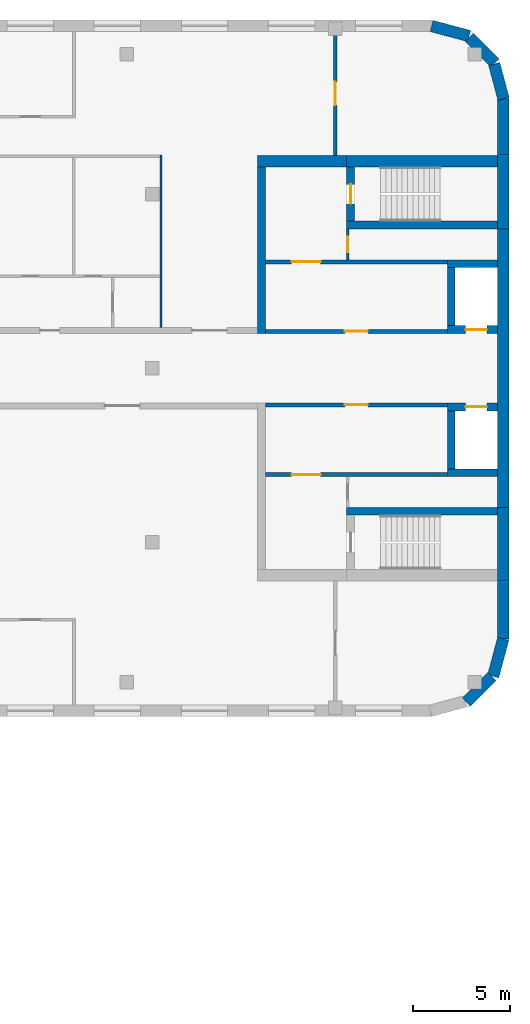
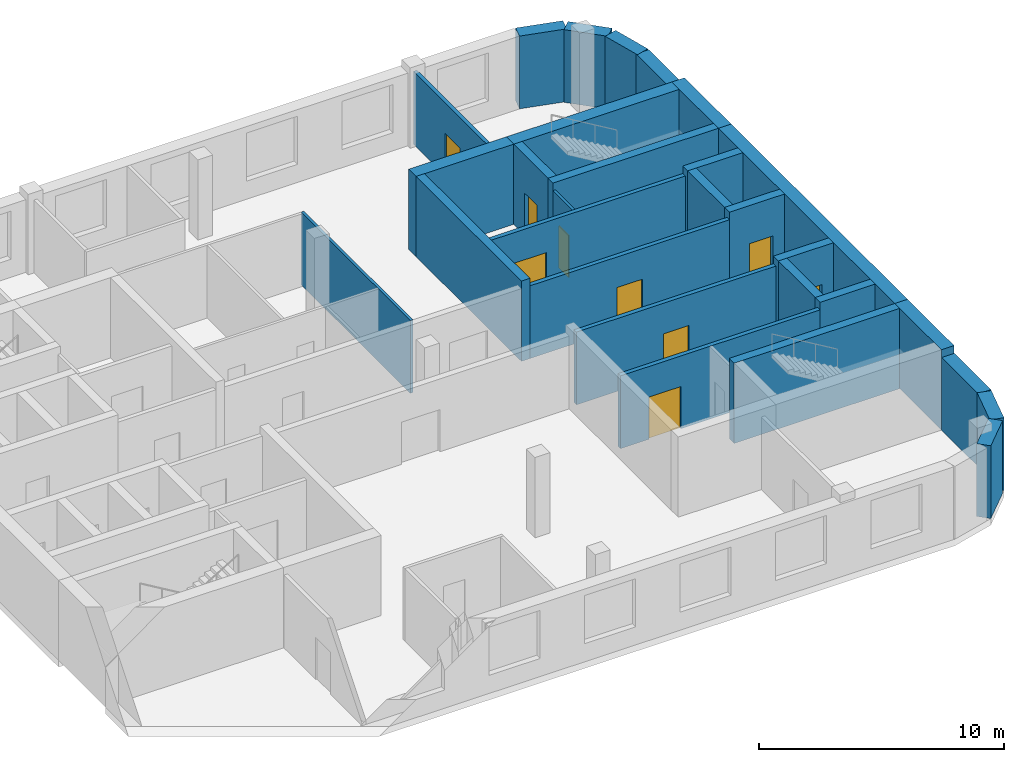
# One storey, part 9 of 12: 29 walls, 9 doors, 9 openings.
"""IFC4 building model written with IfcOpenShell, lengths in metres."""

from ifc_helpers import new_model, si_unit, direction, frame, frame_2d, origin, place, context, subcontext, project, spatial, rectangle, extrude, material, layer, layer_set, type_object, element, fill, save


model = new_model("IFC4")

# Units and contexts
model_context = context("Model", 3, precision=1e-05, world=origin(), true_north=direction((0.0, 1.0)))
body_context = subcontext(model_context, "Body", "Model", "MODEL_VIEW")
ifc_project = project(units=[si_unit("LENGTHUNIT", "METRE"), si_unit("AREAUNIT", "SQUARE_METRE"), si_unit("VOLUMEUNIT", "CUBIC_METRE"), si_unit("PLANEANGLEUNIT", "RADIAN"), si_unit("MASSUNIT", "GRAM", prefix="KILO")], contexts=[model_context])

# Site, building, storey
site_placement = place(None, origin())
site = spatial("IfcSite", under=ifc_project, at=site_placement, CompositionType="ELEMENT")
building_placement = place(site_placement, origin())
building = spatial("IfcBuilding", under=site, at=building_placement, Name="Skarvind Civic Tower", CompositionType="ELEMENT")
storey_placement = place(building_placement, frame((0.0, 0.0, 59.5)))
storey = spatial("IfcBuildingStorey", under=building, at=storey_placement, Name="L13", CompositionType="ELEMENT", Elevation=59.5)

# Wall, opening, door
ifc_material_1 = material(Name="Acoustic gypsum board on steel studs", Category="steel")
ifc_layer_1 = layer(ifc_material_1, 0.175048828125)
ifc_layer_set_1 = layer_set([ifc_layer_1], Name="ACOUSTIC MEETING-ROOM PARTITION 175")
wall_type_1 = type_object("IfcWallType", Name="ACOUSTIC MEETING-ROOM PARTITION 175", PredefinedType="PARTITIONING", material=ifc_layer_set_1)
wall_1_placement = place(storey_placement, frame((158.0, 139.0, 0.0), z_axis=(0.0, 0.0, 1.0), x_axis=(0.0, 1.0, 0.0)))
wall_1 = element("IfcWall", 1, at=wall_1_placement, inside=storey, type_object=wall_type_1, Name="Partition 13.017", PredefinedType="PARTITIONING", context=body_context, shape_type="SweptSolid", body=[
    extrude(rectangle(XDim=6.39990234375, YDim=0.175048828125, at=frame_2d((3.199951171875, 0.0))), origin(), (0.0, 0.0, 1.0), 3.625),
])
opening_1_placement = place(wall_1_placement, frame((2.60009765625, 0.0, 0.0)))
opening_1 = element("IfcOpeningElement", 2, at=opening_1_placement, cuts=wall_1, Name="Opening L13-D108", PredefinedType="OPENING", context=body_context, shape_type="SweptSolid", body=[
    extrude(rectangle(XDim=1.199951171875, YDim=2.10009765625, at=frame_2d((0.60009765625, 1.050048828125))), frame((0.0, 0.097412109375, 0.0), z_axis=(0.0, -1.0, 0.0), x_axis=(1.0, 0.0, 0.0)), (0.0, 0.0, 1.0), 0.195068359375),
])
ifc_material_2 = material(Name="Timber door leaf", Category="wood")
door_type_1 = type_object("IfcDoorType", Name="DOOR 1200X2100 DOUBLE TIMBER", OperationType="NOTDEFINED", PredefinedType="DOOR", material=ifc_material_2)
door_1_placement = place(opening_1_placement, origin())
door_1 = element("IfcDoor", 3, at=door_1_placement, inside=storey, type_object=door_type_1, Name="Door L13-D108", OperationType="DOUBLE_DOOR_SINGLE_SWING", OverallHeight=2.10009765625, OverallWidth=1.199951171875, PredefinedType="DOOR", context=body_context, shape_type="SweptSolid", body=[
    extrude(rectangle(XDim=1.199951171875, YDim=2.10009765625, at=frame_2d((0.60009765625, 1.050048828125))), frame((0.0, 0.02490234375, 0.0), z_axis=(0.0, -1.0, 0.0), x_axis=(1.0, 0.0, 0.0)), (0.0, 0.0, 1.0), 0.050048828125),
])
fill(opening_1, door_1)

ifc_material_3 = material(Name="Fire-rated masonry partition", Category="masonry")
ifc_layer_2 = layer(ifc_material_3, 0.199951171875)
ifc_layer_set_2 = layer_set([ifc_layer_2], Name="Core enclosure wall 200")
wall_type_2 = type_object("IfcWallType", Name="Core enclosure wall 200", PredefinedType="PARTITIONING", material=ifc_layer_set_2)
wall_2_placement = place(storey_placement, frame((163.800048828125, 126.10009765625, 0.0), z_axis=(0.0, 0.0, 1.0), x_axis=(-1.0, 0.0, 0.0)))
wall_2 = element("IfcWall", 4, at=wall_2_placement, inside=storey, type_object=wall_type_2, Name="Core wall CB", PredefinedType="PARTITIONING", context=body_context, shape_type="SweptSolid", body=[
    extrude(rectangle(XDim=9.400146484375, YDim=0.199951171875, at=frame_2d((4.7001953125, 0.0))), origin(), (0.0, 0.0, 1.0), 3.625),
])
opening_2_placement = place(wall_2_placement, frame((4.10009765625, 0.0, 0.0)))
opening_2 = element("IfcOpeningElement", 5, at=opening_2_placement, cuts=wall_2, Name="Opening D-L13-CB-03", PredefinedType="OPENING", context=body_context, shape_type="SweptSolid", body=[
    extrude(rectangle(XDim=1.199951171875, YDim=2.10009765625, at=frame_2d((0.60009765625, 1.050048828125))), frame((0.0, 0.10986328125, 0.0), z_axis=(0.0, -1.0, 0.0), x_axis=(1.0, 0.0, 0.0)), (0.0, 0.0, 1.0), 0.219970703125),
])
ifc_material_4 = material(Name="Fire-rated steel door", Category="steel")
door_type_2 = type_object("IfcDoorType", Name="Core lobby door 1200", OperationType="NOTDEFINED", PredefinedType="DOOR", material=ifc_material_4)
door_2_placement = place(opening_2_placement, origin())
door_2 = element("IfcDoor", 6, at=door_2_placement, inside=storey, type_object=door_type_2, Name="Fire door", OperationType="DOUBLE_DOOR_SINGLE_SWING", OverallHeight=2.10009765625, OverallWidth=1.199951171875, PredefinedType="DOOR", context=body_context, shape_type="SweptSolid", body=[
    extrude(rectangle(XDim=1.199951171875, YDim=2.10009765625, at=frame_2d((0.60009765625, 1.050048828125))), frame((0.0, 0.02490234375, 0.0), z_axis=(0.0, -1.0, 0.0), x_axis=(1.0, 0.0, 0.0)), (0.0, 0.0, 1.0), 0.050048828125),
])
fill(opening_2, door_2)

wall_3_placement = place(storey_placement, frame((163.800048828125, 122.5, 0.0), z_axis=(0.0, 0.0, 1.0), x_axis=(-1.0, 0.0, 0.0)))
wall_3 = element("IfcWall", 7, at=wall_3_placement, inside=storey, type_object=wall_type_2, Name="Core wall CB", PredefinedType="PARTITIONING", context=body_context, shape_type="SweptSolid", body=[
    extrude(rectangle(XDim=9.400146484375, YDim=0.199951171875, at=frame_2d((4.7001953125, 0.0))), origin(), (0.0, 0.0, 1.0), 3.625),
])
opening_3_placement = place(wall_3_placement, frame((6.550048828125, 0.0, 0.0)))
opening_3 = element("IfcOpeningElement", 8, at=opening_3_placement, cuts=wall_3, Name="Opening D-L13-CB-04", PredefinedType="OPENING", context=body_context, shape_type="SweptSolid", body=[
    extrude(rectangle(XDim=1.5, YDim=2.10009765625, at=frame_2d((0.75, 1.050048828125))), frame((0.0, 0.10986328125, 0.0), z_axis=(0.0, -1.0, 0.0), x_axis=(1.0, 0.0, 0.0)), (0.0, 0.0, 1.0), 0.219970703125),
])
door_type_3 = type_object("IfcDoorType", Name="Fire door 1500", OperationType="NOTDEFINED", PredefinedType="DOOR", material=ifc_material_4)
door_3_placement = place(opening_3_placement, origin())
door_3 = element("IfcDoor", 9, at=door_3_placement, inside=storey, type_object=door_type_3, Name="Fire door", OperationType="DOUBLE_DOOR_SINGLE_SWING", OverallHeight=2.10009765625, OverallWidth=1.5, PredefinedType="DOOR", context=body_context, shape_type="SweptSolid", body=[
    extrude(rectangle(XDim=1.5, YDim=2.10009765625, at=frame_2d((0.75, 1.050048828125))), frame((0.0, 0.02490234375, 0.0), z_axis=(0.0, -1.0, 0.0), x_axis=(1.0, 0.0, 0.0)), (0.0, 0.0, 1.0), 0.050048828125),
])
fill(opening_3, door_3)

wall_4_placement = place(storey_placement, frame((154.39990234375, 129.89990234375, 0.0), z_axis=(0.0, 0.0, 1.0), x_axis=(1.0, 0.0, 0.0)))
wall_4 = element("IfcWall", 10, at=wall_4_placement, inside=storey, type_object=wall_type_2, Name="Core wall CB", PredefinedType="PARTITIONING", context=body_context, shape_type="SweptSolid", body=[
    extrude(rectangle(XDim=9.400146484375, YDim=0.199951171875, at=frame_2d((4.7001953125, 0.0))), origin(), (0.0, 0.0, 1.0), 3.625),
])
opening_4_placement = place(wall_4_placement, frame((4.10009765625, 0.0, 0.0)))
opening_4 = element("IfcOpeningElement", 11, at=opening_4_placement, cuts=wall_4, Name="Opening D-L13-CB-07", PredefinedType="OPENING", context=body_context, shape_type="SweptSolid", body=[
    extrude(rectangle(XDim=1.199951171875, YDim=2.10009765625, at=frame_2d((0.60009765625, 1.050048828125))), frame((0.0, 0.10986328125, 0.0), z_axis=(0.0, -1.0, 0.0), x_axis=(1.0, 0.0, 0.0)), (0.0, 0.0, 1.0), 0.219970703125),
])
door_4_placement = place(opening_4_placement, origin())
door_4 = element("IfcDoor", 12, at=door_4_placement, inside=storey, type_object=door_type_2, Name="Fire door", OperationType="DOUBLE_DOOR_SINGLE_SWING", OverallHeight=2.10009765625, OverallWidth=1.199951171875, PredefinedType="DOOR", context=body_context, shape_type="SweptSolid", body=[
    extrude(rectangle(XDim=1.199951171875, YDim=2.10009765625, at=frame_2d((0.60009765625, 1.050048828125))), frame((0.0, 0.02490234375, 0.0), z_axis=(0.0, -1.0, 0.0), x_axis=(1.0, 0.0, 0.0)), (0.0, 0.0, 1.0), 0.050048828125),
])
fill(opening_4, door_4)

wall_5_placement = place(storey_placement, frame((154.39990234375, 133.5, 0.0), z_axis=(0.0, 0.0, 1.0), x_axis=(1.0, 0.0, 0.0)))
wall_5 = element("IfcWall", 13, at=wall_5_placement, inside=storey, type_object=wall_type_2, Name="Core wall CB", PredefinedType="PARTITIONING", context=body_context, shape_type="SweptSolid", body=[
    extrude(rectangle(XDim=9.400146484375, YDim=0.199951171875, at=frame_2d((4.7001953125, 0.0))), origin(), (0.0, 0.0, 1.0), 3.625),
])
opening_5_placement = place(wall_5_placement, frame((1.35009765625, 0.0, 0.0)))
opening_5 = element("IfcOpeningElement", 14, at=opening_5_placement, cuts=wall_5, Name="Opening D-L13-CB-08", PredefinedType="OPENING", context=body_context, shape_type="SweptSolid", body=[
    extrude(rectangle(XDim=1.5, YDim=2.10009765625, at=frame_2d((0.75, 1.050048828125))), frame((0.0, 0.10986328125, 0.0), z_axis=(0.0, -1.0, 0.0), x_axis=(1.0, 0.0, 0.0)), (0.0, 0.0, 1.0), 0.219970703125),
])
door_5_placement = place(opening_5_placement, origin())
door_5 = element("IfcDoor", 15, at=door_5_placement, inside=storey, type_object=door_type_3, Name="Fire door", OperationType="DOUBLE_DOOR_SINGLE_SWING", OverallHeight=2.10009765625, OverallWidth=1.5, PredefinedType="DOOR", context=body_context, shape_type="SweptSolid", body=[
    extrude(rectangle(XDim=1.5, YDim=2.10009765625, at=frame_2d((0.75, 1.050048828125))), frame((0.0, 0.02490234375, 0.0), z_axis=(0.0, -1.0, 0.0), x_axis=(1.0, 0.0, 0.0)), (0.0, 0.0, 1.0), 0.050048828125),
])
fill(opening_5, door_5)

# Wall
ifc_material_5 = material(Name="Concrete C80", Category="concrete")
ifc_layer_3 = layer(ifc_material_5, 0.39990234375)
ifc_layer_set_3 = layer_set([ifc_layer_3], Name="Core wall 400 C80")
wall_type_3 = type_object("IfcWallType", Name="Core wall 400 C80", PredefinedType="SHEAR", material=ifc_layer_set_3)
wall_6_placement = place(storey_placement, frame((166.39990234375, 135.39990234375, 0.0), z_axis=(0.0, 0.0, 1.0), x_axis=(-1.0, 0.0, 0.0)))
element("IfcWall", 16, at=wall_6_placement, inside=storey, type_object=wall_type_3, Name="Core wall CB south stair inner L13", PredefinedType="SHEAR", context=body_context, shape_type="SweptSolid", body=[
    extrude(rectangle(XDim=7.7998046875, YDim=0.39990234375, at=frame_2d((3.89990234375, 0.0))), origin(), (0.0, 0.0, 1.0), 4.0),
])

# Wall, opening, door
wall_7_placement = place(storey_placement, frame((158.800048828125, 138.39990234375, 0.0), z_axis=(0.0, 0.0, 1.0), x_axis=(0.0, -1.0, 0.0)))
wall_7 = element("IfcWall", 17, at=wall_7_placement, inside=storey, type_object=wall_type_3, Name="Core wall CB south stair end L13", PredefinedType="SHEAR", context=body_context, shape_type="SweptSolid", body=[
    extrude(rectangle(XDim=2.7998046875, YDim=0.39990234375, at=frame_2d((1.39990234375, 0.0))), origin(), (0.0, 0.0, 1.0), 4.0),
])
opening_6_placement = place(wall_7_placement, frame((0.89990234375, 0.0, 0.0)))
opening_6 = element("IfcOpeningElement", 18, at=opening_6_placement, cuts=wall_7, Name="Opening D-L13-CB-09", PredefinedType="OPENING", context=body_context, shape_type="SweptSolid", body=[
    extrude(rectangle(XDim=1.0, YDim=2.10009765625, at=frame_2d((0.5, 1.050048828125))), frame((0.0, 0.2099609375, 0.0), z_axis=(0.0, -1.0, 0.0), x_axis=(1.0, 0.0, 0.0)), (0.0, 0.0, 1.0), 0.419921875),
])
door_type_4 = type_object("IfcDoorType", Name="Fire door 1000", OperationType="NOTDEFINED", PredefinedType="DOOR", material=ifc_material_4)
door_6_placement = place(opening_6_placement, origin())
door_6 = element("IfcDoor", 19, at=door_6_placement, inside=storey, type_object=door_type_4, Name="Fire door", OperationType="SINGLE_SWING_RIGHT", OverallHeight=2.10009765625, OverallWidth=1.0, PredefinedType="DOOR", context=body_context, shape_type="SweptSolid", body=[
    extrude(rectangle(XDim=1.0, YDim=2.10009765625, at=frame_2d((0.5, 1.050048828125))), frame((0.0, 0.02490234375, 0.0), z_axis=(0.0, -1.0, 0.0), x_axis=(1.0, 0.0, 0.0)), (0.0, 0.0, 1.0), 0.050048828125),
])
fill(opening_6, door_6)

# Wall
wall_8_placement = place(storey_placement, frame((166.39990234375, 120.60009765625, 0.0), z_axis=(0.0, 0.0, 1.0), x_axis=(-1.0, 0.0, 0.0)))
element("IfcWall", 20, at=wall_8_placement, inside=storey, type_object=wall_type_3, Name="Core wall CB north stair inner L13", PredefinedType="SHEAR", context=body_context, shape_type="SweptSolid", body=[
    extrude(rectangle(XDim=7.7998046875, YDim=0.39990234375, at=frame_2d((3.89990234375, 0.0))), origin(), (0.0, 0.0, 1.0), 4.0),
])

# Wall, opening, door
wall_9_placement = place(storey_placement, frame((166.39990234375, 130.0, 0.0), z_axis=(0.0, 0.0, 1.0), x_axis=(-1.0, 0.0, 0.0)))
wall_9 = element("IfcWall", 21, at=wall_9_placement, inside=storey, type_object=wall_type_3, Name="Core wall CB south lift row front L13", PredefinedType="SHEAR", context=body_context, shape_type="SweptSolid", body=[
    extrude(rectangle(XDim=2.599853515625, YDim=0.39990234375, at=frame_2d((1.2998046875, 0.0))), origin(), (0.0, 0.0, 1.0), 4.0),
])
opening_7_placement = place(wall_9_placement, frame((0.550048828125, 0.0, 0.0)))
opening_7 = element("IfcOpeningElement", 22, at=opening_7_placement, cuts=wall_9, Name="Opening LD15402", PredefinedType="OPENING", context=body_context, shape_type="SweptSolid", body=[
    extrude(rectangle(XDim=1.10009765625, YDim=2.10009765625, at=frame_2d((0.550048828125, 1.050048828125))), frame((0.0, 0.2099609375, 0.0), z_axis=(0.0, -1.0, 0.0), x_axis=(1.0, 0.0, 0.0)), (0.0, 0.0, 1.0), 0.419921875),
])
ifc_material_6 = material(Name="Stainless steel landing door", Category="steel")
door_type_5 = type_object("IfcDoorType", Name="Lift landing door 1100", OperationType="DOUBLE_DOOR_SLIDING", PredefinedType="DOOR", material=ifc_material_6)
door_7_placement = place(opening_7_placement, origin())
door_7 = element("IfcDoor", 23, at=door_7_placement, inside=storey, type_object=door_type_5, Name="Lift landing door", OperationType="DOUBLE_DOOR_SLIDING", OverallHeight=2.10009765625, OverallWidth=1.10009765625, PredefinedType="DOOR", context=body_context, shape_type="SweptSolid", body=[
    extrude(rectangle(XDim=1.10009765625, YDim=2.10009765625, at=frame_2d((0.550048828125, 1.050048828125))), frame((0.0, 0.02490234375, 0.0), z_axis=(0.0, -1.0, 0.0), x_axis=(1.0, 0.0, 0.0)), (0.0, 0.0, 1.0), 0.050048828125),
])
fill(opening_7, door_7)

# Walls
wall_10_placement = place(storey_placement, frame((166.39990234375, 133.39990234375, 0.0), z_axis=(0.0, 0.0, 1.0), x_axis=(-1.0, 0.0, 0.0)))
element("IfcWall", 24, at=wall_10_placement, inside=storey, type_object=wall_type_3, Name="Core wall CB south lift row back L13", PredefinedType="SHEAR", context=body_context, shape_type="SweptSolid", body=[
    extrude(rectangle(XDim=2.599853515625, YDim=0.39990234375, at=frame_2d((1.2998046875, 0.0))), origin(), (0.0, 0.0, 1.0), 4.0),
])
wall_11_placement = place(storey_placement, frame((164.0, 133.199951171875, 0.0), z_axis=(0.0, 0.0, 1.0), x_axis=(0.0, -1.0, 0.0)))
element("IfcWall", 25, at=wall_11_placement, inside=storey, type_object=wall_type_3, Name="Core wall CB south lift row division 1 L13", PredefinedType="SHEAR", context=body_context, shape_type="SweptSolid", body=[
    extrude(rectangle(XDim=3.0, YDim=0.39990234375, at=frame_2d((1.5, 0.0))), origin(), (0.0, 0.0, 1.0), 4.0),
])

# Wall, opening, door
wall_12_placement = place(storey_placement, frame((166.39990234375, 126.0, 0.0), z_axis=(0.0, 0.0, 1.0), x_axis=(-1.0, 0.0, 0.0)))
wall_12 = element("IfcWall", 26, at=wall_12_placement, inside=storey, type_object=wall_type_3, Name="Core wall CB north lift row front L13", PredefinedType="SHEAR", context=body_context, shape_type="SweptSolid", body=[
    extrude(rectangle(XDim=2.599853515625, YDim=0.39990234375, at=frame_2d((1.2998046875, 0.0))), origin(), (0.0, 0.0, 1.0), 4.0),
])
opening_8_placement = place(wall_12_placement, frame((0.550048828125, 0.0, 0.0)))
opening_8 = element("IfcOpeningElement", 27, at=opening_8_placement, cuts=wall_12, Name="Opening LD15401", PredefinedType="OPENING", context=body_context, shape_type="SweptSolid", body=[
    extrude(rectangle(XDim=1.10009765625, YDim=2.10009765625, at=frame_2d((0.550048828125, 1.050048828125))), frame((0.0, 0.2099609375, 0.0), z_axis=(0.0, -1.0, 0.0), x_axis=(1.0, 0.0, 0.0)), (0.0, 0.0, 1.0), 0.419921875),
])
door_8_placement = place(opening_8_placement, origin())
door_8 = element("IfcDoor", 28, at=door_8_placement, inside=storey, type_object=door_type_5, Name="Lift landing door", OperationType="DOUBLE_DOOR_SLIDING", OverallHeight=2.10009765625, OverallWidth=1.10009765625, PredefinedType="DOOR", context=body_context, shape_type="SweptSolid", body=[
    extrude(rectangle(XDim=1.10009765625, YDim=2.10009765625, at=frame_2d((0.550048828125, 1.050048828125))), frame((0.0, 0.02490234375, 0.0), z_axis=(0.0, -1.0, 0.0), x_axis=(1.0, 0.0, 0.0)), (0.0, 0.0, 1.0), 0.050048828125),
])
fill(opening_8, door_8)

# Walls
wall_13_placement = place(storey_placement, frame((166.39990234375, 122.60009765625, 0.0), z_axis=(0.0, 0.0, 1.0), x_axis=(-1.0, 0.0, 0.0)))
element("IfcWall", 29, at=wall_13_placement, inside=storey, type_object=wall_type_3, Name="Core wall CB north lift row back L13", PredefinedType="SHEAR", context=body_context, shape_type="SweptSolid", body=[
    extrude(rectangle(XDim=2.599853515625, YDim=0.39990234375, at=frame_2d((1.2998046875, 0.0))), origin(), (0.0, 0.0, 1.0), 4.0),
])
wall_14_placement = place(storey_placement, frame((164.0, 125.800048828125, 0.0), z_axis=(0.0, 0.0, 1.0), x_axis=(0.0, -1.0, 0.0)))
element("IfcWall", 30, at=wall_14_placement, inside=storey, type_object=wall_type_3, Name="Core wall CB north lift row division 1 L13", PredefinedType="SHEAR", context=body_context, shape_type="SweptSolid", body=[
    extrude(rectangle(XDim=3.0, YDim=0.39990234375, at=frame_2d((1.5, 0.0))), origin(), (0.0, 0.0, 1.0), 4.0),
])
wall_15_placement = place(storey_placement, frame((154.199951171875, 138.39990234375, 0.0), z_axis=(0.0, 0.0, 1.0), x_axis=(0.0, -1.0, 0.0)))
element("IfcWall", 31, at=wall_15_placement, inside=storey, type_object=wall_type_3, Name="Core wall CB south inner face L13", PredefinedType="SHEAR", context=body_context, shape_type="SweptSolid", body=[
    extrude(rectangle(XDim=8.599853515625, YDim=0.39990234375, at=frame_2d((4.2998046875, 0.0))), origin(), (0.0, 0.0, 1.0), 4.0),
])
ifc_layer_4 = layer(ifc_material_5, 0.60009765625)
ifc_layer_set_4 = layer_set([ifc_layer_4], Name="Core wall 600 C80")
wall_type_4 = type_object("IfcWallType", Name="Core wall 600 C80", PredefinedType="SHEAR", material=ifc_layer_set_4)
wall_16_placement = place(storey_placement, frame((166.699951171875, 139.0, 0.0), z_axis=(0.0, 0.0, 1.0), x_axis=(0.0, -1.0, 0.0)))
element("IfcWall", 32, at=wall_16_placement, inside=storey, type_object=wall_type_4, Name="Core wall CB tip at the south stair L13", PredefinedType="SHEAR", context=body_context, shape_type="SweptSolid", body=[
    extrude(rectangle(XDim=3.800048828125, YDim=0.60009765625, at=frame_2d((1.89990234375, 0.0))), origin(), (0.0, 0.0, 1.0), 4.0),
])
wall_17_placement = place(storey_placement, frame((166.699951171875, 135.199951171875, 0.0), z_axis=(0.0, 0.0, 1.0), x_axis=(0.0, -1.0, 0.0)))
element("IfcWall", 33, at=wall_17_placement, inside=storey, type_object=wall_type_4, Name="Core wall CB tip between the stairs L13", PredefinedType="SHEAR", context=body_context, shape_type="SweptSolid", body=[
    extrude(rectangle(XDim=14.39990234375, YDim=0.60009765625, at=frame_2d((7.199951171875, 0.0))), origin(), (0.0, 0.0, 1.0), 4.0),
])
wall_18_placement = place(storey_placement, frame((166.699951171875, 120.800048828125, 0.0), z_axis=(0.0, 0.0, 1.0), x_axis=(0.0, -1.0, 0.0)))
element("IfcWall", 34, at=wall_18_placement, inside=storey, type_object=wall_type_4, Name="Core wall CB tip at the north stair L13", PredefinedType="SHEAR", context=body_context, shape_type="SweptSolid", body=[
    extrude(rectangle(XDim=3.800048828125, YDim=0.60009765625, at=frame_2d((1.89990234375, 0.0))), origin(), (0.0, 0.0, 1.0), 4.0),
])
wall_19_placement = place(storey_placement, frame((166.39990234375, 138.699951171875, 0.0), z_axis=(0.0, 0.0, 1.0), x_axis=(-1.0, 0.0, 0.0)))
element("IfcWall", 35, at=wall_19_placement, inside=storey, type_object=wall_type_4, Name="Core wall CB south side at the stair L13", PredefinedType="SHEAR", context=body_context, shape_type="SweptSolid", body=[
    extrude(rectangle(XDim=7.7998046875, YDim=0.60009765625, at=frame_2d((3.89990234375, 0.0))), origin(), (0.0, 0.0, 1.0), 4.0),
])
wall_20_placement = place(storey_placement, frame((158.60009765625, 138.699951171875, 0.0), z_axis=(0.0, 0.0, 1.0), x_axis=(-1.0, 0.0, 0.0)))
element("IfcWall", 36, at=wall_20_placement, inside=storey, type_object=wall_type_4, Name="Core wall CB south side L13", PredefinedType="SHEAR", context=body_context, shape_type="SweptSolid", body=[
    extrude(rectangle(XDim=4.60009765625, YDim=0.60009765625, at=frame_2d((2.300048828125, 0.0))), origin(), (0.0, 0.0, 1.0), 4.0),
])

# Wall, opening, door
ifc_layer_5 = layer(ifc_material_3, 0.125)
ifc_layer_set_5 = layer_set([ifc_layer_5], Name="Riser wall 125")
wall_type_5 = type_object("IfcWallType", Name="Riser wall 125", PredefinedType="PARTITIONING", material=ifc_layer_set_5)
wall_21_placement = place(storey_placement, frame((158.66259765625, 133.60009765625, 0.0), z_axis=(0.0, 0.0, 1.0), x_axis=(0.0, 1.0, 0.0)))
wall_21 = element("IfcWall", 37, at=wall_21_placement, inside=storey, type_object=wall_type_5, Name="Core wall CB", PredefinedType="PARTITIONING", context=body_context, shape_type="SweptSolid", body=[
    extrude(rectangle(XDim=1.599853515625, YDim=0.125, at=frame_2d((0.7998046875, 0.0))), origin(), (0.0, 0.0, 1.0), 3.625),
])
opening_9_placement = place(wall_21_placement, frame((0.39990234375, 0.0, 0.0)))
opening_9 = element("IfcOpeningElement", 38, at=opening_9_placement, cuts=wall_21, Name="Opening D-L13-CB-10", PredefinedType="OPENING", context=body_context, shape_type="SweptSolid", body=[
    extrude(rectangle(XDim=0.800048828125, YDim=2.10009765625, at=frame_2d((0.39990234375, 1.050048828125))), frame((0.0, 0.072509765625, 0.0), z_axis=(0.0, -1.0, 0.0), x_axis=(1.0, 0.0, 0.0)), (0.0, 0.0, 1.0), 0.14501953125),
])
door_type_6 = type_object("IfcDoorType", Name="Core riser door 800", OperationType="NOTDEFINED", PredefinedType="DOOR", material=ifc_material_4)
door_9_placement = place(opening_9_placement, origin())
door_9 = element("IfcDoor", 39, at=door_9_placement, inside=storey, type_object=door_type_6, Name="Riser door", OperationType="SINGLE_SWING_LEFT", OverallHeight=2.10009765625, OverallWidth=0.800048828125, PredefinedType="DOOR", context=body_context, shape_type="SweptSolid", body=[
    extrude(rectangle(XDim=0.800048828125, YDim=2.10009765625, at=frame_2d((0.39990234375, 1.050048828125))), frame((0.0, 0.02490234375, 0.0), z_axis=(0.0, -1.0, 0.0), x_axis=(1.0, 0.0, 0.0)), (0.0, 0.0, 1.0), 0.050048828125),
])
fill(opening_9, door_9)

# Walls
ifc_material_7 = material(Name="Moisture-resistant gypsum board on steel studs", Category="steel")
ifc_layer_6 = layer(ifc_material_7, 0.125)
ifc_layer_set_6 = layer_set([ifc_layer_6], Name="WC PARTITION 125")
wall_type_6 = type_object("IfcWallType", Name="WC PARTITION 125", PredefinedType="PARTITIONING", material=ifc_layer_set_6)
wall_22_placement = place(storey_placement, frame((149.0, 139.011962890625, 0.0), z_axis=(0.0, 0.0, 1.0), x_axis=(0.0, -1.0, 0.0)))
element("IfcWall", 40, at=wall_22_placement, inside=storey, type_object=wall_type_6, Name="Partition 13.014", PredefinedType="PARTITIONING", context=body_context, shape_type="SweptSolid", body=[
    extrude(rectangle(XDim=8.911865234375, YDim=0.125, at=frame_2d((4.4560546875, 0.0))), origin(), (0.0, 0.0, 1.0), 3.625),
])
ifc_material_8 = material(Name="Limestone masonry cladding on insulated backing", Category="masonry")
ifc_layer_7 = layer(ifc_material_8, 0.60009765625)
ifc_layer_set_7 = layer_set([ifc_layer_7], Name="WX1 STONE FACADE WALL 600")
wall_type_7 = type_object("IfcWallType", Name="WX1 STONE FACADE WALL 600", PredefinedType="SOLIDWALL", material=ifc_layer_set_7)
wall_23_placement = place(storey_placement, frame((166.103515625, 112.063720703125, 0.0), z_axis=(0.0, 0.0, 1.0), x_axis=(-0.707106781187, -0.707106781187, 0.0)))
element("IfcWall", 41, at=wall_23_placement, inside=storey, type_object=wall_type_7, Name="STONE FACADE WALL", PredefinedType="SOLIDWALL", context=body_context, shape_type="SweptSolid", body=[
    extrude(rectangle(XDim=1.860595703125, YDim=0.60009765625, at=frame_2d((0.93017578125, 0.0))), origin(), (0.0, 0.0, 1.0), 3.625),
])
wall_24_placement = place(storey_placement, frame((166.692138671875, 114.010009765625, 0.0), z_axis=(0.0, 0.0, 1.0), x_axis=(-0.258839784042, -0.965920269068, 0.0)))
element("IfcWall", 42, at=wall_24_placement, inside=storey, type_object=wall_type_7, Name="STONE FACADE WALL", PredefinedType="SOLIDWALL", context=body_context, shape_type="SweptSolid", body=[
    extrude(rectangle(XDim=2.00048828125, YDim=0.60009765625, at=frame_2d((1.000244140625, 0.0))), origin(), (0.0, 0.0, 1.0), 3.625),
])
wall_25_placement = place(storey_placement, frame((166.699951171875, 116.97998046875, 0.0), z_axis=(0.0, 0.0, 1.0), x_axis=(0.0, -1.0, 0.0)))
element("IfcWall", 43, at=wall_25_placement, inside=storey, type_object=wall_type_7, Name="STONE FACADE WALL", PredefinedType="SOLIDWALL", context=body_context, shape_type="SweptSolid", body=[
    extrude(rectangle(XDim=2.97998046875, YDim=0.60009765625, at=frame_2d((1.489990234375, 0.0))), origin(), (0.0, 0.0, 1.0), 3.625),
])
wall_26_placement = place(storey_placement, frame((166.699951171875, 141.929931640625, 0.0), z_axis=(0.0, 0.0, 1.0), x_axis=(0.0, -1.0, 0.0)))
element("IfcWall", 44, at=wall_26_placement, inside=storey, type_object=wall_type_7, Name="STONE FACADE WALL", PredefinedType="SOLIDWALL", context=body_context, shape_type="SweptSolid", body=[
    extrude(rectangle(XDim=2.909912109375, YDim=0.60009765625, at=frame_2d((1.455078125, 0.0))), origin(), (0.0, 0.0, 1.0), 3.625),
])
for number, where, z_axis, x_axis, name in (
    (45, (166.228759765625, 143.719482421875, 0.0), (0.0, 0.0, 1.0), (0.258773254036, -0.965938094805, 0.0), "STONE FACADE WALL"),
    (46, (164.936279296875, 145.103515625, 0.0), (0.0, 0.0, 1.0), (0.707106781187, -0.707106781187, 0.0), "STONE FACADE WALL"),
):
    element("IfcWall", number, at=place(storey_placement, frame(where, z_axis=z_axis, x_axis=x_axis)), inside=storey, type_object=wall_type_7, Name=name, PredefinedType="SOLIDWALL", context=body_context, shape_type="SweptSolid", body=[
        extrude(rectangle(XDim=1.860595703125, YDim=0.60009765625, at=frame_2d((0.93017578125, 0.0))), origin(), (0.0, 0.0, 1.0), 3.625),
    ])
wall_27_placement = place(storey_placement, frame((162.989990234375, 145.692138671875, 0.0), z_axis=(0.0, 0.0, 1.0), x_axis=(0.965920269068, -0.258839784042, 0.0)))
element("IfcWall", 47, at=wall_27_placement, inside=storey, type_object=wall_type_7, Name="STONE FACADE WALL", PredefinedType="SOLIDWALL", context=body_context, shape_type="SweptSolid", body=[
    extrude(rectangle(XDim=2.00048828125, YDim=0.60009765625, at=frame_2d((1.000244140625, 0.0))), origin(), (0.0, 0.0, 1.0), 3.625),
])

save(model, "model.ifc")
